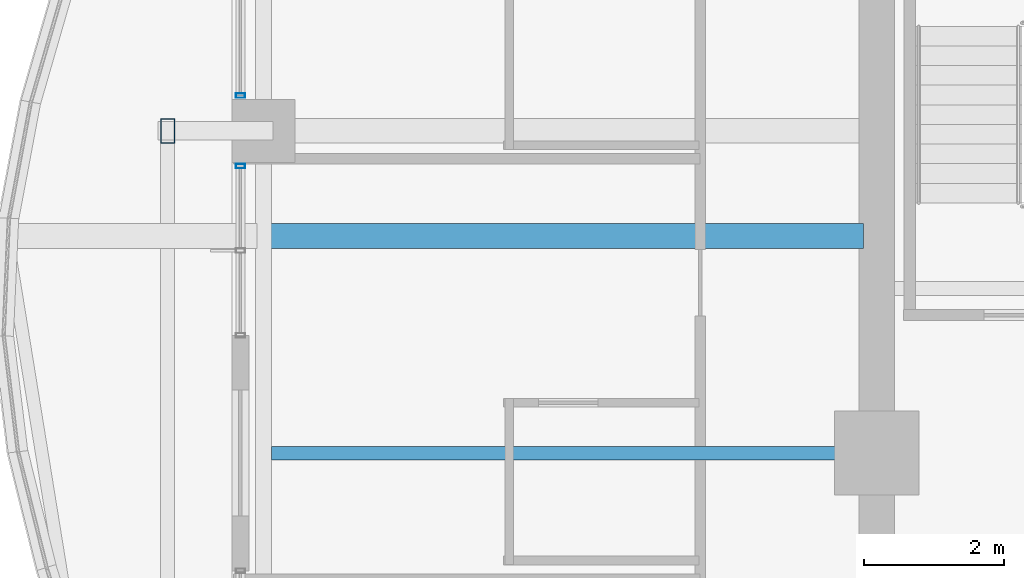
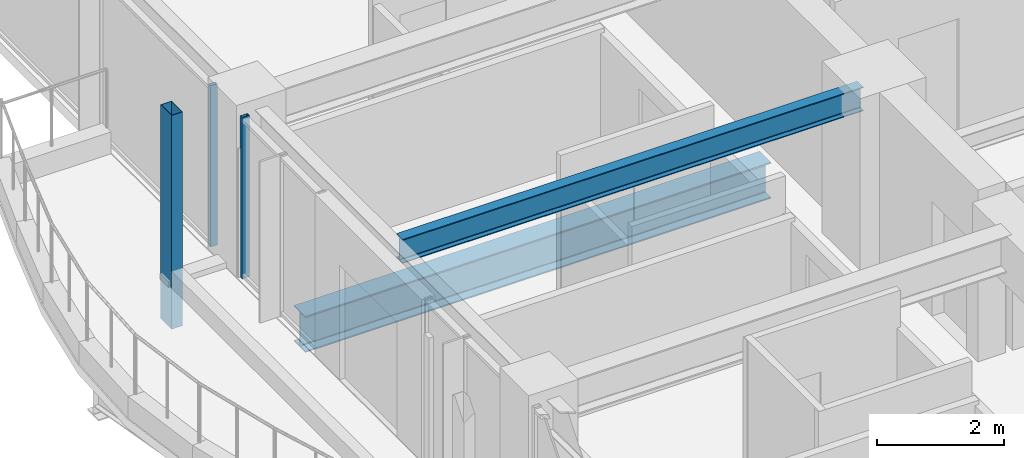
# One storey, part 11 of 37: 3 members, 2 beams, 2 elements without a shape of their own.
"""IFC4 building model written with IfcOpenShell, lengths in metres."""

from ifc_helpers import new_model, si_unit, direction, frame, origin, origin_2d, place, context, subcontext, project, spatial, hollow_rectangle, i_section, extrude, material, material_profile, profile_set, type_object, element, aggregate, save


model = new_model("IFC4")

# Units and contexts
model_context = context("Model", 3, precision=1e-05, world=origin(), true_north=direction((0.0, 1.0)))
body_context = subcontext(model_context, "Body", "Model", "MODEL_VIEW")
ifc_project = project(units=[si_unit("LENGTHUNIT", "METRE"), si_unit("AREAUNIT", "SQUARE_METRE"), si_unit("VOLUMEUNIT", "CUBIC_METRE"), si_unit("PLANEANGLEUNIT", "RADIAN"), si_unit("MASSUNIT", "GRAM", prefix="KILO")], contexts=[model_context])

# Site, building, storey
site_placement = place(None, origin())
site = spatial("IfcSite", under=ifc_project, at=site_placement, CompositionType="ELEMENT")
building_placement = place(site_placement, origin())
building = spatial("IfcBuilding", under=site, at=building_placement, Name="Kolvaren Belvedere", CompositionType="ELEMENT")
storey_placement = place(building_placement, frame((0.0, 0.0, 156.89990234375)))
storey = spatial("IfcBuildingStorey", under=building, at=storey_placement, Name="L45", CompositionType="ELEMENT", Elevation=156.89990234375)

# Beams
ifc_material_1 = material(Name="Structural steel ASTM A992 Grade 50", Category="steel")
ifc_material_profile_1 = material_profile(ifc_material_1, i_section(OverallWidth=0.35498046875, OverallDepth=0.696044921875, WebThickness=0.015380859375, FlangeThickness=0.02490234375, FilletRadius=0.02197265625, at=origin_2d()), Name="W27X146")
ifc_profile_set_1 = profile_set([ifc_material_profile_1], Name="Structural steel ASTM A992 Grade 50")
beam_type_1 = type_object("IfcBeamType", Name="BM-GIRD-W27X146", PredefinedType="BEAM", material=ifc_profile_set_1)
beam_1_placement = place(storey_placement, frame((-10.090087890625, 3.10009765625, -0.5478515625), z_axis=(-1.0, 0.0, 0.0), x_axis=(0.0, -1.0, 0.0)))
element("IfcBeam", 1, at=beam_1_placement, inside=storey, type_object=beam_type_1, Name="L45 Balcony Interior Back-Span Girder BAL-W-2", PredefinedType="BEAM", context=body_context, shape_type="SweptSolid", body=[
    extrude(i_section(OverallWidth=0.35498046875, OverallDepth=0.696044921875, WebThickness=0.015380859375, FlangeThickness=0.02490234375, FilletRadius=0.02197265625, at=origin_2d()), origin(), (0.0, 0.0, 1.0), 8.46484375),
])
ifc_material_2 = material(Name="Structural steel ASTM A992 Grade 50", Category="steel")
ifc_material_profile_2 = material_profile(ifc_material_2, i_section(OverallWidth=0.19091796875, OverallDepth=0.4599609375, WebThickness=0.010009765625, FlangeThickness=0.01611328125, FilletRadius=0.014892578125, at=origin_2d()), Name="W18X55")
ifc_profile_set_2 = profile_set([ifc_material_profile_2], Name="Structural steel ASTM A992 Grade 50")
beam_type_2 = type_object("IfcBeamType", Name="BM-JOIST-W18X55", PredefinedType="BEAM", material=ifc_profile_set_2)
beam_2_placement = place(storey_placement, frame((-10.14990234375, 0.0, 2.8701171875), z_axis=(-1.0, 0.0, 0.0), x_axis=(0.0, -1.0, 0.0)))
element("IfcBeam", 2, at=beam_2_placement, inside=storey, type_object=beam_type_2, Name="L45 West Centre Floor Beam", PredefinedType="BEAM", context=body_context, shape_type="SweptSolid", body=[
    extrude(i_section(OverallWidth=0.19091796875, OverallDepth=0.4599609375, WebThickness=0.010009765625, FlangeThickness=0.01611328125, FilletRadius=0.014892578125, at=origin_2d()), origin(), (0.0, 0.0, 1.0), 8.385498046875),
])

# Curtain wall, member
ifc_material_3 = material(Name="Anodised pale-metal aluminium AA 6063-T6", Category="aluminium")
curtain_wall_type = type_object("IfcCurtainWallType", Name="CW-Z3-WAIST", PredefinedType="NOTDEFINED", material=ifc_material_3)
curtain_wall_1_placement = place(storey_placement, origin())
curtain_wall_1 = element("IfcCurtainWall", 3, at=curtain_wall_1_placement, inside=storey, type_object=curtain_wall_type, Name="L45 Unitised Curtain Wall FCW-L45-W2-B1", PredefinedType="NOTDEFINED")
ifc_material_4 = material(Name="Anodised pale-metal aluminium AA 6063-T6", Category="aluminium")
ifc_material_profile_3 = material_profile(ifc_material_4, hollow_rectangle(XDim=0.06494140625, YDim=0.1298828125, WallThickness=0.00390625, at=origin_2d()), Name="ALU-MUL-130X65")
ifc_profile_set_3 = profile_set([ifc_material_profile_3], Name="Anodised pale-metal aluminium AA 6063-T6")
member_type_1 = type_object("IfcMemberType", Name="CW-MUL-130", PredefinedType="MULLION", material=ifc_profile_set_3)
member_1_placement = place(storey_placement, frame((-18.97998046875, 4.097412109375, 0.0), z_axis=(0.0, 0.0, 1.0), x_axis=(0.0, 1.0, 0.0)))
member_1 = element("IfcMember", 4, at=member_1_placement, type_object=member_type_1, Name="FCW-L45-W2-B1 Unitised Mullion 3", PredefinedType="MULLION", context=body_context, shape_type="SweptSolid", body=[
    extrude(hollow_rectangle(XDim=0.06494140625, YDim=0.1298828125, WallThickness=0.00390625, at=origin_2d()), origin(), (0.0, 0.0, 1.0), 3.10009765625),
])
aggregate(curtain_wall_1, [member_1])

curtain_wall_2_placement = place(storey_placement, origin())
curtain_wall_2 = element("IfcCurtainWall", 5, at=curtain_wall_2_placement, inside=storey, type_object=curtain_wall_type, Name="L45 Unitised Curtain Wall FCW-L45-W2-B2", PredefinedType="NOTDEFINED")
member_2_placement = place(storey_placement, frame((-18.97998046875, 5.1025390625, 0.0), z_axis=(0.0, 0.0, 1.0), x_axis=(0.0, 1.0, 0.0)))
member_2 = element("IfcMember", 6, at=member_2_placement, type_object=member_type_1, Name="FCW-L45-W2-B2 Unitised Mullion 1", PredefinedType="MULLION", context=body_context, shape_type="SweptSolid", body=[
    extrude(hollow_rectangle(XDim=0.06494140625, YDim=0.1298828125, WallThickness=0.00390625, at=origin_2d()), origin(), (0.0, 0.0, 1.0), 3.10009765625),
])
aggregate(curtain_wall_2, [member_2])

# Member
ifc_material_5 = material(Name="Anodised pale-metal aluminium AA 6063-T6", Category="aluminium")
ifc_material_profile_4 = material_profile(ifc_material_5, hollow_rectangle(XDim=0.199951171875, YDim=0.35009765625, WallThickness=0.007568359375, at=origin_2d()), Name="ALU-PF-350X200")
ifc_profile_set_4 = profile_set([ifc_material_profile_4], Name="Anodised pale-metal aluminium AA 6063-T6")
member_type_2 = type_object("IfcMemberType", Name="PF-FRAME-350", PredefinedType="USERDEFINED", material=ifc_profile_set_4)
member_3_placement = place(storey_placement, frame((-20.02001953125, 4.60009765625, -0.809814453125), z_axis=(0.0, 0.0, 1.0), x_axis=(1.0, 0.0, 0.0)))
element("IfcMember", 7, at=member_3_placement, inside=storey, type_object=member_type_2, Name="L45 Outboard Picture-Frame Vertical W2", ObjectType="PICTURE FRAME FIN", PredefinedType="USERDEFINED", context=body_context, shape_type="SweptSolid", body=[
    extrude(hollow_rectangle(XDim=0.199951171875, YDim=0.35009765625, WallThickness=0.007568359375, at=origin_2d()), origin(), (0.0, 0.0, 1.0), 4.10986328125),
])

save(model, "model.ifc")
